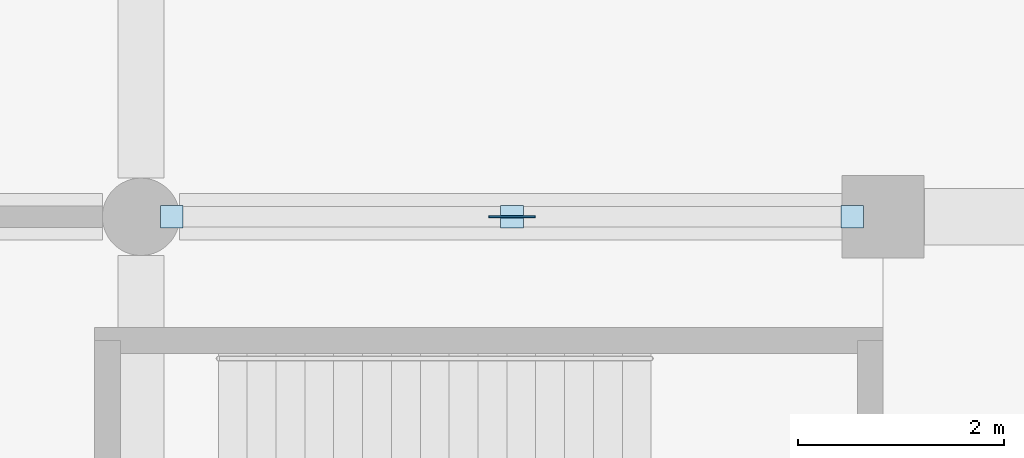
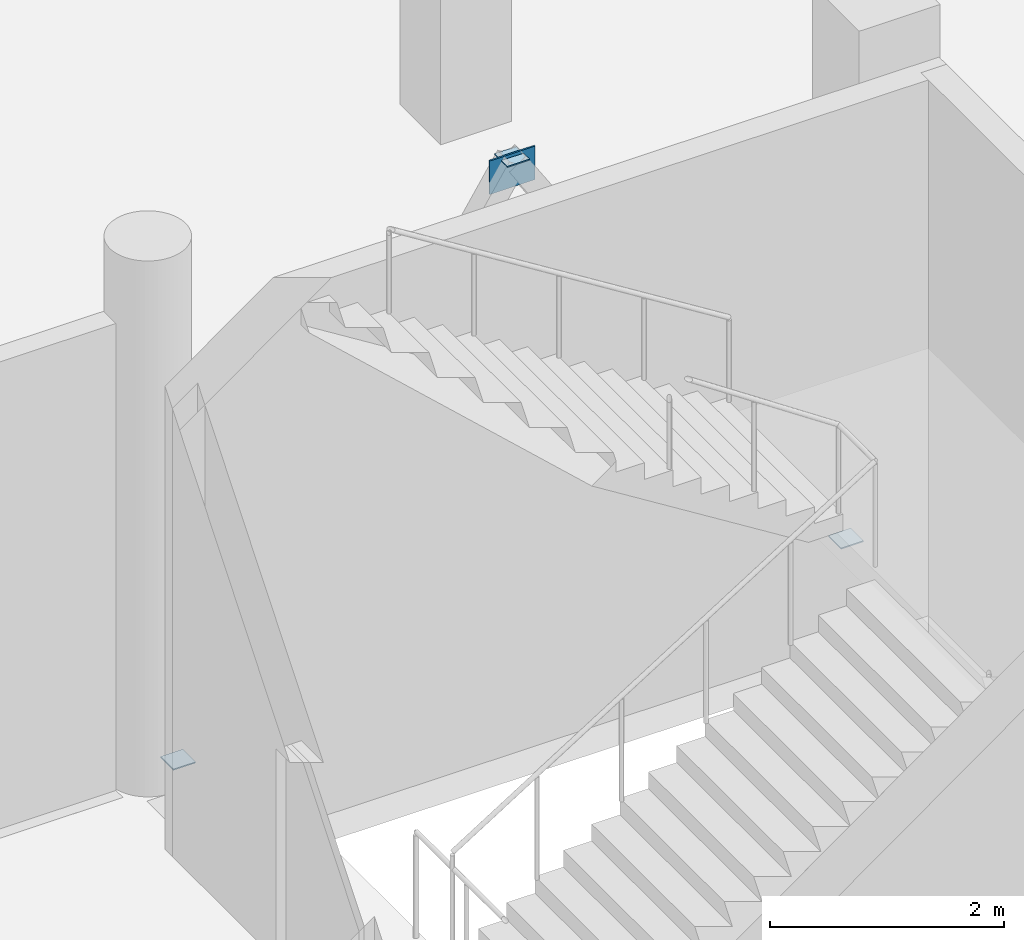
# One storey, part 46 of 80: 4 plates.
"""IFC4 building model written with IfcOpenShell, lengths in metres."""

from ifc_helpers import new_model, si_unit, direction, frame, origin, origin_2d, place, context, subcontext, project, spatial, rectangle, extrude, material, layer, layer_set, type_object, element, save


model = new_model("IFC4")

# Units and contexts
model_context = context("Model", 3, precision=1e-05, world=origin(), true_north=direction((0.0, 1.0)))
body_context = subcontext(model_context, "Body", "Model", "MODEL_VIEW")
ifc_project = project(units=[si_unit("LENGTHUNIT", "METRE"), si_unit("AREAUNIT", "SQUARE_METRE"), si_unit("VOLUMEUNIT", "CUBIC_METRE"), si_unit("PLANEANGLEUNIT", "RADIAN"), si_unit("MASSUNIT", "GRAM", prefix="KILO")], contexts=[model_context])

# Site, building, storey
site_placement = place(None, origin())
site = spatial("IfcSite", under=ifc_project, at=site_placement, CompositionType="ELEMENT")
building_placement = place(site_placement, origin())
building = spatial("IfcBuilding", under=site, at=building_placement, Name="Sardonyx Promenade Sports Hall", CompositionType="ELEMENT")
storey_placement = place(building_placement, frame((0.0, 0.0, 5.60009765625)))
storey = spatial("IfcBuildingStorey", under=building, at=storey_placement, Name="L01", CompositionType="ELEMENT", Elevation=5.60009765625)

# Plates
ifc_material_1 = material(Name="Steel S355JR", Category="steel")
ifc_layer_1 = layer(ifc_material_1, 0.011962890625)
ifc_layer_set_1 = layer_set([ifc_layer_1], Name="Plt_EndCap_EC3")
plate_type_1 = type_object("IfcPlateType", Name="Plt_EndCap_EC3", PredefinedType="USERDEFINED", material=ifc_layer_set_1)
for number, where, z_axis, x_axis, name in (
    (1, (72.300048828125, 28.800048828125, 0.01416015625), (0.0, 0.0, 1.0), (1.0, 0.0, 0.0), "Brace foot end-cap plate EC3 BF6 L01 L1"),
    (2, (78.89990234375, 28.800048828125, 0.01416015625), (0.0, 0.0, 1.0), (1.0, 0.0, 0.0), "Brace foot end-cap plate EC3 BF6 L01 L2"),
    (3, (75.60009765625, 28.800048828125, 5.15869140625), (0.0, 0.0, 1.0), (1.0, 0.0, 0.0), "Brace apex cap plate EC3 BF6 L01"),
):
    element("IfcPlate", number, at=place(storey_placement, frame(where, z_axis=z_axis, x_axis=x_axis)), inside=storey, type_object=plate_type_1, Name=name, ObjectType="END CAP PLATE", PredefinedType="USERDEFINED", context=body_context, shape_type="SweptSolid", body=[
        extrude(rectangle(XDim=0.219970703125, YDim=0.219970703125, at=origin_2d()), origin(), (0.0, 0.0, 1.0), 0.011962890625),
    ])
ifc_material_2 = material(Name="Steel S355JR", Category="steel")
ifc_layer_2 = layer(ifc_material_2, 0.01611328125)
ifc_layer_set_2 = layer_set([ifc_layer_2], Name="Plt_Gusset_KN3")
plate_type_2 = type_object("IfcPlateType", Name="Plt_Gusset_KN3", PredefinedType="USERDEFINED", material=ifc_layer_set_2)
plate_placement = place(storey_placement, frame((75.60009765625, 28.800048828125, 4.854736328125), z_axis=(0.0, 0.0, 1.0), x_axis=(1.0, 0.0, 0.0)))
element("IfcPlate", 4, at=plate_placement, inside=storey, type_object=plate_type_2, Name="Braced-frame apex gusset KN3 BF6 L01", ObjectType="GUSSET PLATE", PredefinedType="USERDEFINED", context=body_context, shape_type="SweptSolid", body=[
    extrude(rectangle(XDim=0.449951171875, YDim=0.01611328125, at=origin_2d()), origin(), (0.0, 0.0, 1.0), 0.35009765625),
])

save(model, "model.ifc")
